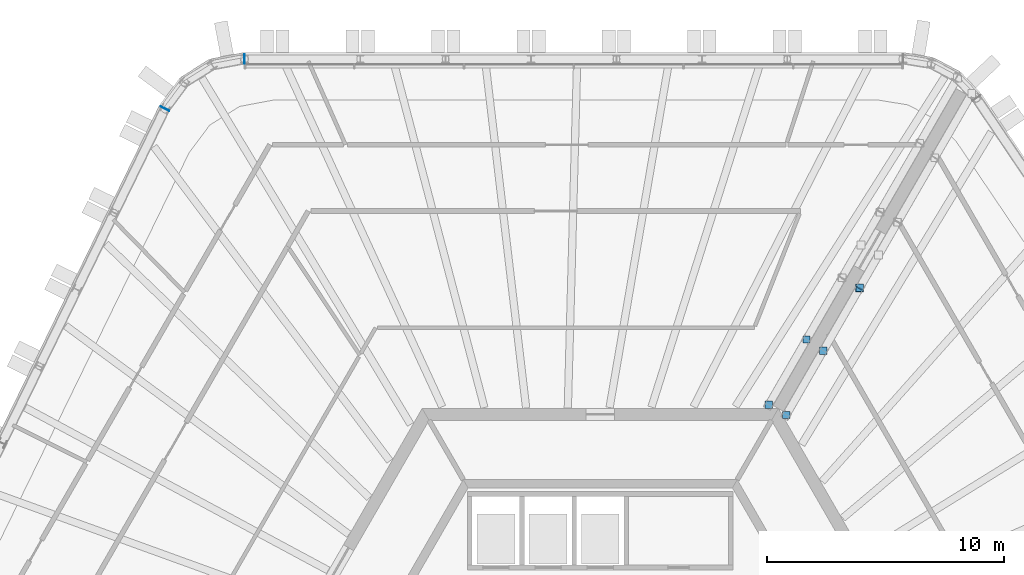
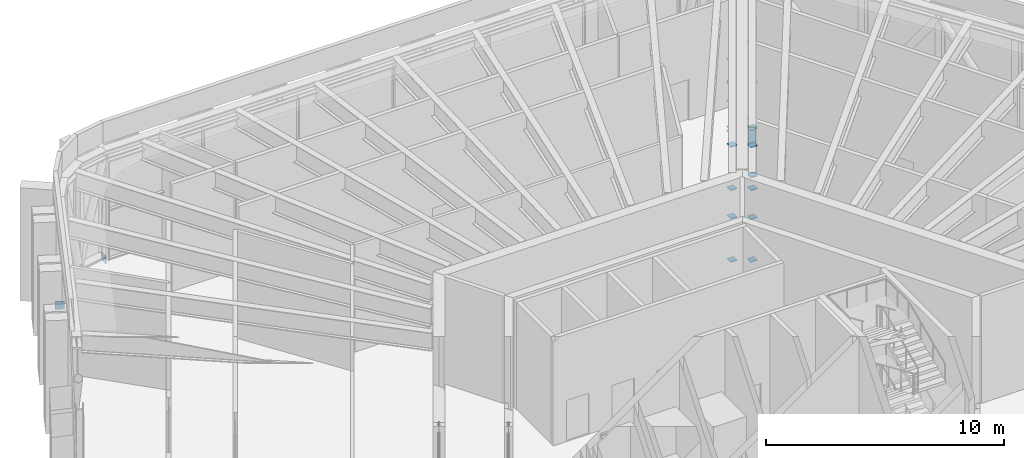
# One storey, part 20 of 24: 14 discrete accessories.
"""IFC4 building model written with IfcOpenShell, lengths in metres."""

from ifc_helpers import new_model, si_unit, direction, frame, origin, origin_2d, place, context, subcontext, project, spatial, rectangle, extrude, material, type_object, element, save


model = new_model("IFC4")

# Units and contexts
model_context = context("Model", 3, precision=1e-05, world=origin(), true_north=direction((0.0, 1.0)))
body_context = subcontext(model_context, "Body", "Model", "MODEL_VIEW")
ifc_project = project(units=[si_unit("LENGTHUNIT", "METRE"), si_unit("AREAUNIT", "SQUARE_METRE"), si_unit("VOLUMEUNIT", "CUBIC_METRE"), si_unit("PLANEANGLEUNIT", "RADIAN"), si_unit("MASSUNIT", "GRAM", prefix="KILO")], contexts=[model_context])

# Site, building, storey
site_placement = place(None, origin())
site = spatial("IfcSite", under=ifc_project, at=site_placement, CompositionType="ELEMENT")
building_placement = place(site_placement, origin())
building = spatial("IfcBuilding", under=site, at=building_placement, Name="Tarnside Tower", CompositionType="ELEMENT")
storey_placement = place(building_placement, frame((0.0, 0.0, 250.199951171875)))
storey = spatial("IfcBuildingStorey", under=building, at=storey_placement, Name="L60", CompositionType="ELEMENT", Elevation=250.199951171875)

# Discrete accessories
ifc_material = material(Name="Steel S355", Category="steel")
discrete_accessory_type_1 = type_object("IfcDiscreteAccessoryType", Name="Cast-in plate L60 belt truss chord end", PredefinedType="USERDEFINED", material=ifc_material)
for number, where, z_axis, x_axis, name in (
    (1, (-14.996826171875, 27.72509765625, -0.2998046875), (0.0, 0.0, 1.0), (-1.0, 0.0, 0.0), "Cast-in plate run L60 B"),
    (2, (-18.344970703125, 25.6328125, -0.2998046875), (0.0, 0.0, 1.0), (-0.438371146789, -0.898794046299, 0.0), "Cast-in plate run L60 A"),
):
    element("IfcDiscreteAccessory", number, at=place(storey_placement, frame(where, z_axis=z_axis, x_axis=x_axis)), inside=storey, type_object=discrete_accessory_type_1, Name=name, ObjectType="Cast-in plate", PredefinedType="USERDEFINED", context=body_context, shape_type="SweptSolid", body=[
        extrude(rectangle(XDim=0.030029296875, YDim=0.403076171875, at=origin_2d()), origin(), (0.0, 0.0, 1.0), 0.406494140625),
    ])
discrete_accessory_type_2 = type_object("IfcDiscreteAccessoryType", Name="Gusset plate L60 outrigger end 308", PredefinedType="USERDEFINED", material=ifc_material)
discrete_accessory_1_placement = place(storey_placement, frame((10.922607421875, 18.0673828125, 2.4501953125), z_axis=(0.0, 0.0, 1.0), x_axis=(-0.500001511499, -0.866024531118, 0.0)))
element("IfcDiscreteAccessory", 3, at=discrete_accessory_1_placement, inside=storey, type_object=discrete_accessory_type_2, Name="Gusset plate 18 L60", ObjectType="Gusset plate", PredefinedType="USERDEFINED", context=body_context, shape_type="SweptSolid", body=[
    extrude(rectangle(XDim=0.030029296875, YDim=0.3076171875, at=origin_2d()), origin(), (0.0, 0.0, 1.0), 0.926513671875),
])
discrete_accessory_type_3 = type_object("IfcDiscreteAccessoryType", Name="Gusset plate L60 outrigger end 311", PredefinedType="USERDEFINED", material=ifc_material)
for number, where, z_axis, x_axis, name in (
    (4, (7.101806640625, 13.152099609375, 0.896484375), (0.0, 0.0, 1.0), (1.0, 0.0, 0.0), "Gusset plate 3 L60"),
    (5, (7.101806640625, 13.152099609375, 4.5732421875), (0.0, 0.0, 1.0), (1.0, 0.0, 0.0), "Gusset plate 4 L60"),
    (6, (8.6923828125, 15.90673828125, 0.896484375), (0.0, 0.0, 1.0), (1.0, 0.0, 0.0), "Gusset plate 5 L60"),
    (7, (8.6923828125, 15.90673828125, 4.5732421875), (0.0, 0.0, 1.0), (1.0, 0.0, 0.0), "Gusset plate 6 L60"),
    (8, (7.839111328125, 12.7265625, 0.896484375), (0.0, 0.0, 1.0), (1.0, 0.0, 0.0), "Gusset plate 20 L60"),
    (9, (7.839111328125, 12.7265625, 4.5732421875), (0.0, 0.0, 1.0), (1.0, 0.0, 0.0), "Gusset plate 21 L60"),
    (10, (9.404052734375, 15.43701171875, 0.896484375), (0.0, 0.0, 1.0), (1.0, 0.0, 0.0), "Gusset plate 22 L60"),
    (11, (9.404052734375, 15.43701171875, 4.5732421875), (0.0, 0.0, 1.0), (1.0, 0.0, 0.0), "Gusset plate 23 L60"),
    (12, (10.93017578125, 18.080322265625, 0.896484375), (0.0, 0.0, 1.0), (1.0, 0.0, 0.0), "Gusset plate 24 L60"),
    (13, (10.93017578125, 18.080322265625, 2.4501953125), (0.0, 0.0, 1.0), (1.0, 0.0, 0.0), "Gusset plate 25 L60"),
):
    element("IfcDiscreteAccessory", number, at=place(storey_placement, frame(where, z_axis=z_axis, x_axis=x_axis)), inside=storey, type_object=discrete_accessory_type_3, Name=name, ObjectType="Gusset plate", PredefinedType="USERDEFINED", context=body_context, shape_type="SweptSolid", body=[
        extrude(rectangle(XDim=0.311279296875, YDim=0.311279296875, at=origin_2d()), origin(), (0.0, 0.0, 1.0), 0.030029296875),
    ])
discrete_accessory_type_4 = type_object("IfcDiscreteAccessoryType", Name="Gusset plate L60 outrigger end 324", PredefinedType="USERDEFINED", material=ifc_material)
discrete_accessory_2_placement = place(storey_placement, frame((10.93017578125, 18.080322265625, 3.3466796875), z_axis=(0.0, 0.0, 1.0), x_axis=(1.0, 0.0, 0.0)))
element("IfcDiscreteAccessory", 14, at=discrete_accessory_2_placement, inside=storey, type_object=discrete_accessory_type_4, Name="Gusset plate 30 L60", ObjectType="Gusset plate", PredefinedType="USERDEFINED", context=body_context, shape_type="SweptSolid", body=[
    extrude(rectangle(XDim=0.323974609375, YDim=0.323974609375, at=origin_2d()), origin(), (0.0, 0.0, 1.0), 0.030029296875),
])

save(model, "model.ifc")
